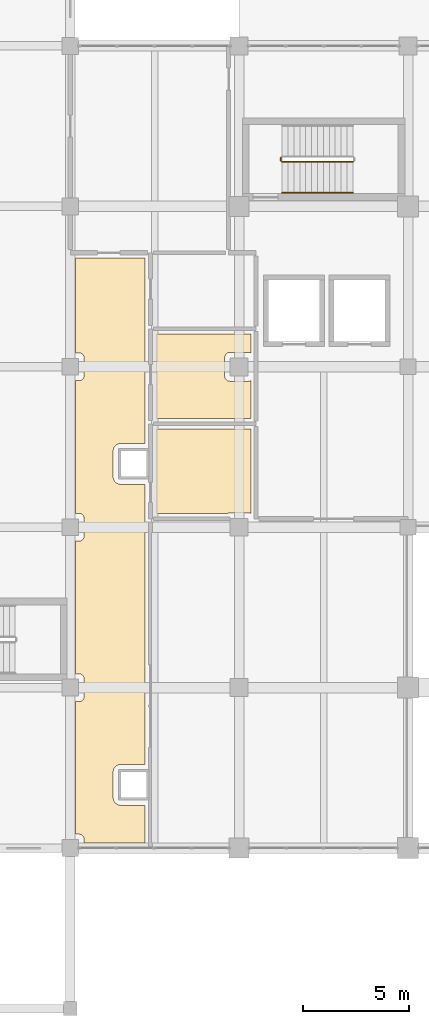
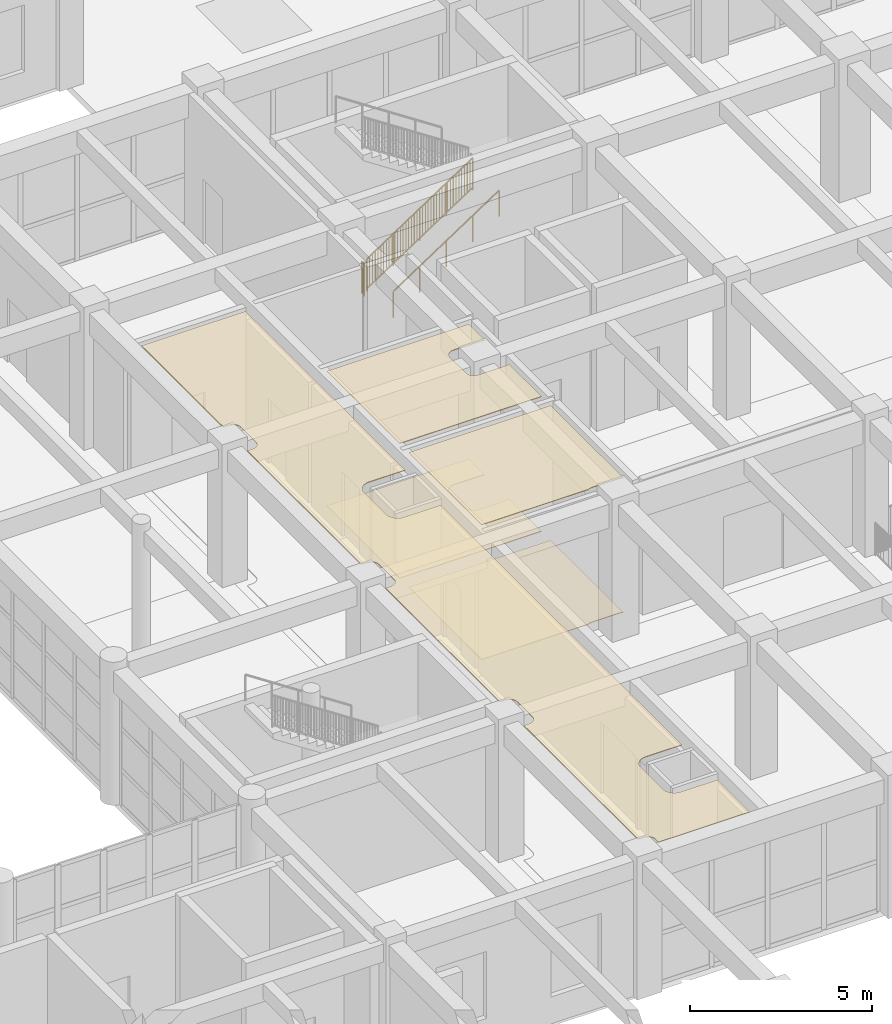
# One storey, part 90 of 101: 5 coverings, 3 railings.
"""IFC4 building model written with IfcOpenShell, lengths in metres."""

from ifc_helpers import new_model, si_unit, direction, frame, origin, origin_2d, place, context, subcontext, project, spatial, polyline, rectangle, circle, outline, extrude, material, layer, layer_set, type_object, element, save


model = new_model("IFC4")

# Units and contexts
model_context = context("Model", 3, precision=1e-05, world=origin(), true_north=direction((0.0, 1.0)))
body_context = subcontext(model_context, "Body", "Model", "MODEL_VIEW")
ifc_project = project(units=[si_unit("LENGTHUNIT", "METRE"), si_unit("AREAUNIT", "SQUARE_METRE"), si_unit("VOLUMEUNIT", "CUBIC_METRE"), si_unit("PLANEANGLEUNIT", "RADIAN"), si_unit("MASSUNIT", "GRAM", prefix="KILO")], contexts=[model_context])

# Site, building, storey
site_placement = place(None, origin())
site = spatial("IfcSite", under=ifc_project, at=site_placement, CompositionType="ELEMENT")
building_placement = place(site_placement, origin())
building = spatial("IfcBuilding", under=site, at=building_placement, Name="Zantavel Square City Hall", CompositionType="ELEMENT")
storey_placement = place(building_placement, frame((0.0, 0.0, 5.39990234375)))
storey = spatial("IfcBuildingStorey", under=building, at=storey_placement, Name="L02", CompositionType="ELEMENT", Elevation=5.39990234375)

# Railings
ifc_material_1 = material(Name="Steel ASTM A500 Grade B", Category="steel")
railing_type_1 = type_object("IfcRailingType", Name="Atrium & Gallery Steel Guard Railing 1100mm", PredefinedType="GUARDRAIL", material=ifc_material_1)
railing_1_placement = place(storey_placement, frame((66.030029296875, 62.909912109375, 0.184814453125)))
element("IfcRailing", 1, at=railing_1_placement, inside=storey, type_object=railing_type_1, Name="L02 ST5 stair guard 1", PredefinedType="GUARDRAIL", context=body_context, shape_type="SweptSolid", body=[
    extrude(circle(Radius=0.02392578125, at=origin_2d()), frame((0.0, 0.0, 1.076171875), z_axis=(0.834858096282, 0.0, 0.550465220583), x_axis=(0.0, 1.0, 0.0)), (0.0, 0.0, 1.0), 4.0244140625),
    extrude(rectangle(XDim=0.031982421875, YDim=0.031982421875, at=origin_2d()), frame((0.0, 0.0, 0.080078125), z_axis=(0.834858096282, 0.0, 0.550465220583), x_axis=(0.0, 1.0, 0.0)), (0.0, 0.0, 1.0), 4.0244140625),
    extrude(rectangle(XDim=0.02197265625, YDim=0.02197265625, at=origin_2d()), frame((0.08837890625, 0.0, 0.13818359375)), (0.0, 0.0, 1.0), 0.971923828125),
    extrude(rectangle(XDim=0.02197265625, YDim=0.02197265625, at=origin_2d()), frame((0.1767578125, 0.0, 0.196533203125)), (0.0, 0.0, 1.0), 0.971923828125),
    extrude(rectangle(XDim=0.02197265625, YDim=0.02197265625, at=origin_2d()), frame((0.26513671875, 0.0, 0.2548828125)), (0.0, 0.0, 1.0), 0.971923828125),
    extrude(rectangle(XDim=0.02197265625, YDim=0.02197265625, at=origin_2d()), frame((0.353759765625, 0.0, 0.313232421875)), (0.0, 0.0, 1.0), 0.971923828125),
    extrude(rectangle(XDim=0.02197265625, YDim=0.02197265625, at=origin_2d()), frame((0.442138671875, 0.0, 0.37158203125)), (0.0, 0.0, 1.0), 0.971923828125),
    extrude(rectangle(XDim=0.02197265625, YDim=0.02197265625, at=origin_2d()), frame((0.530517578125, 0.0, 0.4296875)), (0.0, 0.0, 1.0), 0.971923828125),
    extrude(rectangle(XDim=0.02197265625, YDim=0.02197265625, at=origin_2d()), frame((0.618896484375, 0.0, 0.488037109375)), (0.0, 0.0, 1.0), 0.971923828125),
    extrude(rectangle(XDim=0.02197265625, YDim=0.02197265625, at=origin_2d()), frame((0.707275390625, 0.0, 0.54638671875)), (0.0, 0.0, 1.0), 0.971923828125),
    extrude(rectangle(XDim=0.02197265625, YDim=0.02197265625, at=origin_2d()), frame((0.795654296875, 0.0, 0.604736328125)), (0.0, 0.0, 1.0), 0.971923828125),
    extrude(rectangle(XDim=0.02197265625, YDim=0.02197265625, at=origin_2d()), frame((0.88427734375, 0.0, 0.6630859375)), (0.0, 0.0, 1.0), 0.971923828125),
    extrude(rectangle(XDim=0.02197265625, YDim=0.02197265625, at=origin_2d()), frame((0.97265625, 0.0, 0.72119140625)), (0.0, 0.0, 1.0), 0.971923828125),
    extrude(rectangle(XDim=0.02197265625, YDim=0.02197265625, at=origin_2d()), frame((1.06103515625, 0.0, 0.779541015625)), (0.0, 0.0, 1.0), 0.971923828125),
    extrude(rectangle(XDim=0.02197265625, YDim=0.02197265625, at=origin_2d()), frame((1.1494140625, 0.0, 0.837890625)), (0.0, 0.0, 1.0), 0.971923828125),
    extrude(rectangle(XDim=0.02197265625, YDim=0.02197265625, at=origin_2d()), frame((1.23779296875, 0.0, 0.896240234375)), (0.0, 0.0, 1.0), 0.971923828125),
    extrude(rectangle(XDim=0.02197265625, YDim=0.02197265625, at=origin_2d()), frame((1.326171875, 0.0, 0.95458984375)), (0.0, 0.0, 1.0), 0.971923828125),
    extrude(rectangle(XDim=0.02197265625, YDim=0.02197265625, at=origin_2d()), frame((1.414794921875, 0.0, 1.0126953125)), (0.0, 0.0, 1.0), 0.971923828125),
    extrude(rectangle(XDim=0.02197265625, YDim=0.02197265625, at=origin_2d()), frame((1.503173828125, 0.0, 1.071044921875)), (0.0, 0.0, 1.0), 0.971923828125),
    extrude(rectangle(XDim=0.02197265625, YDim=0.02197265625, at=origin_2d()), frame((1.591552734375, 0.0, 1.12939453125)), (0.0, 0.0, 1.0), 0.971923828125),
    extrude(rectangle(XDim=0.02197265625, YDim=0.02197265625, at=origin_2d()), frame((1.768310546875, 0.0, 1.245849609375)), (0.0, 0.0, 1.0), 0.971923828125),
    extrude(rectangle(XDim=0.02197265625, YDim=0.02197265625, at=origin_2d()), frame((1.856689453125, 0.0, 1.30419921875)), (0.0, 0.0, 1.0), 0.971923828125),
    extrude(rectangle(XDim=0.02197265625, YDim=0.02197265625, at=origin_2d()), frame((1.945068359375, 0.0, 1.362548828125)), (0.0, 0.0, 1.0), 0.971923828125),
    extrude(rectangle(XDim=0.02197265625, YDim=0.02197265625, at=origin_2d()), frame((2.03369140625, 0.0, 1.4208984375)), (0.0, 0.0, 1.0), 0.971923828125),
    extrude(rectangle(XDim=0.02197265625, YDim=0.02197265625, at=origin_2d()), frame((2.1220703125, 0.0, 1.479248046875)), (0.0, 0.0, 1.0), 0.971923828125),
    extrude(rectangle(XDim=0.02197265625, YDim=0.02197265625, at=origin_2d()), frame((2.21044921875, 0.0, 1.537353515625)), (0.0, 0.0, 1.0), 0.971923828125),
    extrude(rectangle(XDim=0.02197265625, YDim=0.02197265625, at=origin_2d()), frame((2.298828125, 0.0, 1.595703125)), (0.0, 0.0, 1.0), 0.971923828125),
    extrude(rectangle(XDim=0.02197265625, YDim=0.02197265625, at=origin_2d()), frame((2.38720703125, 0.0, 1.654052734375)), (0.0, 0.0, 1.0), 0.971923828125),
    extrude(rectangle(XDim=0.02197265625, YDim=0.02197265625, at=origin_2d()), frame((2.4755859375, 0.0, 1.71240234375)), (0.0, 0.0, 1.0), 0.971923828125),
    extrude(rectangle(XDim=0.02197265625, YDim=0.02197265625, at=origin_2d()), frame((2.564208984375, 0.0, 1.770751953125)), (0.0, 0.0, 1.0), 0.971923828125),
    extrude(rectangle(XDim=0.02197265625, YDim=0.02197265625, at=origin_2d()), frame((2.652587890625, 0.0, 1.828857421875)), (0.0, 0.0, 1.0), 0.971923828125),
    extrude(rectangle(XDim=0.02197265625, YDim=0.02197265625, at=origin_2d()), frame((2.740966796875, 0.0, 1.88720703125)), (0.0, 0.0, 1.0), 0.971923828125),
    extrude(rectangle(XDim=0.02197265625, YDim=0.02197265625, at=origin_2d()), frame((2.829345703125, 0.0, 1.945556640625)), (0.0, 0.0, 1.0), 0.971923828125),
    extrude(rectangle(XDim=0.02197265625, YDim=0.02197265625, at=origin_2d()), frame((2.917724609375, 0.0, 2.00390625)), (0.0, 0.0, 1.0), 0.971923828125),
    extrude(rectangle(XDim=0.02197265625, YDim=0.02197265625, at=origin_2d()), frame((3.006103515625, 0.0, 2.062255859375)), (0.0, 0.0, 1.0), 0.971923828125),
    extrude(rectangle(XDim=0.02197265625, YDim=0.02197265625, at=origin_2d()), frame((3.0947265625, 0.0, 2.120361328125)), (0.0, 0.0, 1.0), 0.971923828125),
    extrude(rectangle(XDim=0.02197265625, YDim=0.02197265625, at=origin_2d()), frame((3.18310546875, 0.0, 2.1787109375)), (0.0, 0.0, 1.0), 0.971923828125),
    extrude(rectangle(XDim=0.02197265625, YDim=0.02197265625, at=origin_2d()), frame((3.271484375, 0.0, 2.237060546875)), (0.0, 0.0, 1.0), 0.971923828125),
    extrude(circle(Radius=0.02099609375, at=origin_2d()), origin(), (0.0, 0.0, 1.0), 1.052001953125),
    extrude(circle(Radius=0.02099609375, at=origin_2d()), frame((0.83984375, 0.0, 0.5537109375)), (0.0, 0.0, 1.0), 1.052001953125),
    extrude(circle(Radius=0.02099609375, at=origin_2d()), frame((1.679931640625, 0.0, 1.107666015625)), (0.0, 0.0, 1.0), 1.052001953125),
    extrude(circle(Radius=0.02099609375, at=origin_2d()), frame((2.52001953125, 0.0, 1.66162109375)), (0.0, 0.0, 1.0), 1.052001953125),
    extrude(circle(Radius=0.02099609375, at=origin_2d()), frame((3.35986328125, 0.0, 2.21533203125)), (0.0, 0.0, 1.0), 1.052001953125),
])
railing_2_placement = place(storey_placement, frame((65.97998046875, 62.9599609375, 0.0)))
element("IfcRailing", 2, at=railing_2_placement, inside=storey, type_object=railing_type_1, Name="L02 ST5 stair guard 4", PredefinedType="GUARDRAIL", context=body_context, shape_type="SweptSolid", body=[
    extrude(circle(Radius=0.02392578125, at=origin_2d()), frame((0.0, 0.0, 1.076171875), z_axis=(0.0, 1.0, 0.0), x_axis=(-1.0, 0.0, 0.0)), (0.0, 0.0, 1.0), 0.150146484375),
    extrude(rectangle(XDim=0.031982421875, YDim=0.031982421875, at=origin_2d()), frame((0.0, 0.0, 0.080078125), z_axis=(0.0, 1.0, 0.0), x_axis=(-1.0, 0.0, 0.0)), (0.0, 0.0, 1.0), 0.150146484375),
    extrude(rectangle(XDim=0.02197265625, YDim=0.02197265625, at=origin_2d()), frame((0.0, 0.0751953125, 0.080078125)), (0.0, 0.0, 1.0), 0.971923828125),
    extrude(circle(Radius=0.02099609375, at=origin_2d()), origin(), (0.0, 0.0, 1.0), 1.052001953125),
    extrude(circle(Radius=0.02099609375, at=origin_2d()), frame((0.0, 0.150146484375, 0.0)), (0.0, 0.0, 1.0), 1.052001953125),
])

# Coverings
ifc_material_2 = material(Name="Terrazzo stone finish", Category="masonry")
ifc_layer_1 = layer(ifc_material_2, 0.02001953125, Name="Terrazzo stone finish")
ifc_layer_set_1 = layer_set([ifc_layer_1], Name="Terrazzo stone finish")
covering_type_1 = type_object("IfcCoveringType", Name="Honed Cantera-Terrazzo Civic Flooring 20mm", PredefinedType="FLOORING", material=ifc_layer_set_1)
covering_1_placement = place(storey_placement, origin())
element("IfcCovering", 3, at=covering_1_placement, inside=storey, type_object=covering_type_1, Name="L02 L02 Mens Restroom Terrazzo Flooring", PredefinedType="FLOORING", context=body_context, shape_type="SweptSolid", body=[
    extrude(outline(polyline([(60.050048828125, 50.25), (64.550048828125, 50.25), (64.550048828125, 46.2568359375), (64.53076171875, 46.26611328125), (64.507568359375, 46.274169921875), (64.48388671875, 46.2802734375), (64.45947265625, 46.28369140625), (64.43505859375, 46.284912109375), (63.56494140625, 46.284912109375), (63.54052734375, 46.28369140625), (63.51611328125, 46.2802734375), (63.492431640625, 46.274169921875), (63.46923828125, 46.26611328125), (63.447265625, 46.255615234375), (63.43798828125, 46.25), (60.050048828125, 46.25), (60.050048828125, 50.25)])), origin(), (0.0, 0.0, 1.0), 0.02001953125),
])
covering_2_placement = place(storey_placement, origin())
element("IfcCovering", 4, at=covering_2_placement, inside=storey, type_object=covering_type_1, Name="L02 L02 Womens Restroom Terrazzo Flooring", PredefinedType="FLOORING", context=body_context, shape_type="SweptSolid", body=[
    extrude(outline(polyline([(60.050048828125, 54.75), (64.550048828125, 54.75), (64.550048828125, 53.856689453125), (64.53076171875, 53.865966796875), (64.507568359375, 53.874267578125), (64.48388671875, 53.880126953125), (64.45947265625, 53.8837890625), (64.43505859375, 53.885009765625), (63.56494140625, 53.885009765625), (63.54052734375, 53.8837890625), (63.51611328125, 53.880126953125), (63.492431640625, 53.874267578125), (63.46923828125, 53.865966796875), (63.447265625, 53.85546875), (63.426025390625, 53.843017578125), (63.406494140625, 53.828369140625), (63.38818359375, 53.811767578125), (63.37158203125, 53.793701171875), (63.357177734375, 53.77392578125), (63.344482421875, 53.752685546875), (63.333984375, 53.730712890625), (63.32568359375, 53.70751953125), (63.31982421875, 53.683837890625), (63.316162109375, 53.659423828125), (63.31494140625, 53.635009765625), (63.31494140625, 52.764892578125), (63.316162109375, 52.740478515625), (63.31982421875, 52.71630859375), (63.32568359375, 52.6923828125), (63.333984375, 52.669189453125), (63.344482421875, 52.647216796875), (63.357177734375, 52.626220703125), (63.37158203125, 52.6064453125), (63.38818359375, 52.588134765625), (63.406494140625, 52.57177734375), (63.426025390625, 52.55712890625), (63.447265625, 52.54443359375), (63.46923828125, 52.533935546875), (63.492431640625, 52.52587890625), (63.51611328125, 52.519775390625), (63.54052734375, 52.51611328125), (63.56494140625, 52.514892578125), (64.43505859375, 52.514892578125), (64.45947265625, 52.51611328125), (64.48388671875, 52.519775390625), (64.507568359375, 52.52587890625), (64.53076171875, 52.533935546875), (64.550048828125, 52.543212890625), (64.550048828125, 50.75), (60.050048828125, 50.75), (60.050048828125, 54.75)])), origin(), (0.0, 0.0, 1.0), 0.02001953125),
])
ifc_material_3 = material(Name="Gypsum acoustic stud assembly", Category="masonry")
ifc_layer_2 = layer(ifc_material_3, 0.02490234375, Name="Gypsum acoustic stud assembly")
ifc_layer_set_2 = layer_set([ifc_layer_2], Name="Gypsum acoustic stud assembly")
covering_type_2 = type_object("IfcCoveringType", Name="Perforated Gypsum Acoustic Ceiling 25mm", PredefinedType="CEILING", material=ifc_layer_set_2)
covering_3_placement = place(storey_placement, frame((0.0, 0.0, 4.51513671875)))
element("IfcCovering", 5, at=covering_3_placement, inside=storey, type_object=covering_type_2, Name="L02 L02 South-West Gallery Bypass Corridor Acoustic Ceiling", PredefinedType="CEILING", context=body_context, shape_type="SweptSolid", body=[
    extrude(outline(polyline([(56.65869140625, 30.83447265625), (56.6552734375, 30.85888671875), (56.649169921875, 30.882568359375), (56.64111328125, 30.90576171875), (56.630615234375, 30.927734375), (56.617919921875, 30.948974609375), (56.603271484375, 30.968505859375), (56.5869140625, 30.98681640625), (56.568603515625, 31.00341796875), (56.548828125, 31.017822265625), (56.52783203125, 31.030517578125), (56.505615234375, 31.041015625), (56.482666015625, 31.04931640625), (56.458740234375, 31.05517578125), (56.4345703125, 31.058837890625), (56.409912109375, 31.06005859375), (56.25, 31.06005859375), (56.25, 37.340087890625), (56.409912109375, 37.340087890625), (56.4345703125, 37.34130859375), (56.458740234375, 37.3447265625), (56.482666015625, 37.350830078125), (56.505615234375, 37.35888671875), (56.52783203125, 37.369384765625), (56.548828125, 37.382080078125), (56.568603515625, 37.396728515625), (56.5869140625, 37.4130859375), (56.603271484375, 37.431396484375), (56.617919921875, 37.451171875), (56.630615234375, 37.47216796875), (56.64111328125, 37.494384765625), (56.649169921875, 37.517333984375), (56.6552734375, 37.541259765625), (56.65869140625, 37.5654296875), (56.659912109375, 37.590087890625), (56.659912109375, 38.409912109375), (56.65869140625, 38.4345703125), (56.6552734375, 38.458740234375), (56.649169921875, 38.482666015625), (56.64111328125, 38.505615234375), (56.630615234375, 38.52783203125), (56.617919921875, 38.548828125), (56.603271484375, 38.568603515625), (56.5869140625, 38.5869140625), (56.568603515625, 38.603271484375), (56.548828125, 38.617919921875), (56.52783203125, 38.630615234375), (56.505615234375, 38.64111328125), (56.482666015625, 38.649169921875), (56.458740234375, 38.6552734375), (56.4345703125, 38.65869140625), (56.409912109375, 38.659912109375), (56.25, 38.659912109375), (56.25, 44.93994140625), (56.409912109375, 44.93994140625), (56.4345703125, 44.941162109375), (56.458740234375, 44.94482421875), (56.482666015625, 44.95068359375), (56.505615234375, 44.958984375), (56.52783203125, 44.969482421875), (56.548828125, 44.982177734375), (56.568603515625, 44.99658203125), (56.5869140625, 45.01318359375), (56.603271484375, 45.031494140625), (56.617919921875, 45.051025390625), (56.630615234375, 45.072265625), (56.64111328125, 45.09423828125), (56.649169921875, 45.117431640625), (56.6552734375, 45.14111328125), (56.65869140625, 45.16552734375), (56.659912109375, 45.18994140625), (56.659912109375, 46.010009765625), (56.65869140625, 46.034423828125), (56.6552734375, 46.058837890625), (56.649169921875, 46.08251953125), (56.64111328125, 46.105712890625), (56.630615234375, 46.127685546875), (56.617919921875, 46.14892578125), (56.603271484375, 46.168701171875), (56.5869140625, 46.186767578125), (56.568603515625, 46.203369140625), (56.548828125, 46.218017578125), (56.52783203125, 46.23046875), (56.505615234375, 46.240966796875), (56.482666015625, 46.249267578125), (56.458740234375, 46.255126953125), (56.4345703125, 46.2587890625), (56.409912109375, 46.260009765625), (56.25, 46.260009765625), (56.25, 52.5400390625), (56.409912109375, 52.5400390625), (56.4345703125, 52.541259765625), (56.458740234375, 52.544921875), (56.482666015625, 52.55078125), (56.505615234375, 52.55908203125), (56.52783203125, 52.569580078125), (56.548828125, 52.58203125), (56.568603515625, 52.5966796875), (56.5869140625, 52.61328125), (56.603271484375, 52.63134765625), (56.617919921875, 52.651123046875), (56.630615234375, 52.672119140625), (56.64111328125, 52.6943359375), (56.649169921875, 52.71728515625), (56.6552734375, 52.7412109375), (56.65869140625, 52.765380859375), (56.659912109375, 52.7900390625), (56.659912109375, 53.610107421875), (56.65869140625, 53.634521484375), (56.6552734375, 53.65869140625), (56.649169921875, 53.6826171875), (56.64111328125, 53.705810546875), (56.630615234375, 53.727783203125), (56.617919921875, 53.748779296875), (56.603271484375, 53.7685546875), (56.5869140625, 53.786865234375), (56.568603515625, 53.80322265625), (56.548828125, 53.81787109375), (56.52783203125, 53.83056640625), (56.505615234375, 53.841064453125), (56.482666015625, 53.84912109375), (56.458740234375, 53.855224609375), (56.4345703125, 53.85888671875), (56.409912109375, 53.860107421875), (56.25, 53.860107421875), (56.25, 58.35009765625), (59.550048828125, 58.35009765625), (59.550048828125, 49.570068359375), (58.39990234375, 49.570068359375), (58.3876953125, 49.569580078125), (58.3759765625, 49.569091796875), (58.3515625, 49.566650390625), (58.33984375, 49.56494140625), (58.31591796875, 49.560302734375), (58.304443359375, 49.557373046875), (58.281005859375, 49.55029296875), (58.27001953125, 49.54638671875), (58.247314453125, 49.536865234375), (58.236572265625, 49.53173828125), (58.21484375, 49.520263671875), (58.204833984375, 49.51416015625), (58.184326171875, 49.50048828125), (58.1748046875, 49.49365234375), (58.156005859375, 49.47802734375), (58.147216796875, 49.47021484375), (58.1298828125, 49.45263671875), (58.1220703125, 49.444091796875), (58.1064453125, 49.425048828125), (58.099365234375, 49.41552734375), (58.085693359375, 49.395263671875), (58.07958984375, 49.385009765625), (58.068115234375, 49.363525390625), (58.06298828125, 49.352783203125), (58.0537109375, 49.330078125), (58.0498046875, 49.319091796875), (58.042724609375, 49.295654296875), (58.039794921875, 49.2841796875), (58.034912109375, 49.260009765625), (58.033203125, 49.248291015625), (58.031005859375, 49.22412109375), (58.0302734375, 49.21240234375), (58.030029296875, 49.199951171875), (58.030029296875, 48.0), (58.0302734375, 47.98779296875), (58.031005859375, 47.97607421875), (58.033203125, 47.95166015625), (58.034912109375, 47.93994140625), (58.039794921875, 47.915771484375), (58.042724609375, 47.904296875), (58.0498046875, 47.880859375), (58.0537109375, 47.869873046875), (58.06298828125, 47.84716796875), (58.068115234375, 47.83642578125), (58.07958984375, 47.81494140625), (58.085693359375, 47.8046875), (58.099365234375, 47.784423828125), (58.1064453125, 47.77490234375), (58.1220703125, 47.756103515625), (58.1298828125, 47.747314453125), (58.147216796875, 47.72998046875), (58.156005859375, 47.721923828125), (58.1748046875, 47.706298828125), (58.184326171875, 47.699462890625), (58.204833984375, 47.685791015625), (58.21484375, 47.6796875), (58.236572265625, 47.668212890625), (58.247314453125, 47.6630859375), (58.27001953125, 47.65380859375), (58.281005859375, 47.64990234375), (58.304443359375, 47.642578125), (58.31591796875, 47.639892578125), (58.33984375, 47.635009765625), (58.3515625, 47.63330078125), (58.3759765625, 47.630859375), (58.3876953125, 47.63037109375), (58.39990234375, 47.6298828125), (59.550048828125, 47.6298828125), (59.550048828125, 34.3701171875), (58.39990234375, 34.3701171875), (58.3876953125, 34.36962890625), (58.3759765625, 34.369140625), (58.3515625, 34.36669921875), (58.33984375, 34.364990234375), (58.31591796875, 34.360107421875), (58.304443359375, 34.357421875), (58.281005859375, 34.35009765625), (58.27001953125, 34.34619140625), (58.247314453125, 34.3369140625), (58.236572265625, 34.331787109375), (58.21484375, 34.3203125), (58.204833984375, 34.314208984375), (58.184326171875, 34.300537109375), (58.1748046875, 34.293701171875), (58.156005859375, 34.278076171875), (58.147216796875, 34.27001953125), (58.1298828125, 34.252685546875), (58.1220703125, 34.243896484375), (58.1064453125, 34.22509765625), (58.099365234375, 34.215576171875), (58.085693359375, 34.1953125), (58.07958984375, 34.18505859375), (58.068115234375, 34.16357421875), (58.06298828125, 34.15283203125), (58.0537109375, 34.130126953125), (58.0498046875, 34.119140625), (58.042724609375, 34.095703125), (58.039794921875, 34.084228515625), (58.034912109375, 34.06005859375), (58.033203125, 34.04833984375), (58.031005859375, 34.02392578125), (58.0302734375, 34.01220703125), (58.030029296875, 34.0), (58.030029296875, 32.800048828125), (58.0302734375, 32.78759765625), (58.031005859375, 32.77587890625), (58.033203125, 32.751708984375), (58.034912109375, 32.739990234375), (58.039794921875, 32.7158203125), (58.042724609375, 32.704345703125), (58.0498046875, 32.680908203125), (58.0537109375, 32.669921875), (58.06298828125, 32.647216796875), (58.068115234375, 32.636474609375), (58.07958984375, 32.614990234375), (58.085693359375, 32.604736328125), (58.099365234375, 32.58447265625), (58.1064453125, 32.574951171875), (58.1220703125, 32.555908203125), (58.1298828125, 32.54736328125), (58.147216796875, 32.52978515625), (58.156005859375, 32.52197265625), (58.1748046875, 32.50634765625), (58.184326171875, 32.49951171875), (58.204833984375, 32.48583984375), (58.21484375, 32.479736328125), (58.236572265625, 32.46826171875), (58.247314453125, 32.463134765625), (58.27001953125, 32.45361328125), (58.281005859375, 32.44970703125), (58.304443359375, 32.442626953125), (58.31591796875, 32.439697265625), (58.33984375, 32.43505859375), (58.3515625, 32.433349609375), (58.3759765625, 32.430908203125), (58.3876953125, 32.430419921875), (58.39990234375, 32.429931640625), (59.550048828125, 32.429931640625), (59.550048828125, 30.64990234375), (56.659912109375, 30.64990234375), (56.659912109375, 30.81005859375), (56.65869140625, 30.83447265625)])), origin(), (0.0, 0.0, 1.0), 0.02490234375),
])
covering_4_placement = place(storey_placement, frame((0.0, 0.0, 4.51513671875)))
element("IfcCovering", 6, at=covering_4_placement, inside=storey, type_object=covering_type_2, Name="L02 L02 Mens Restroom Acoustic Ceiling", PredefinedType="CEILING", context=body_context, shape_type="SweptSolid", body=[
    extrude(outline(polyline([(60.050048828125, 50.25), (64.550048828125, 50.25), (64.550048828125, 46.2568359375), (64.53076171875, 46.26611328125), (64.507568359375, 46.274169921875), (64.48388671875, 46.2802734375), (64.45947265625, 46.28369140625), (64.43505859375, 46.284912109375), (63.56494140625, 46.284912109375), (63.54052734375, 46.28369140625), (63.51611328125, 46.2802734375), (63.492431640625, 46.274169921875), (63.46923828125, 46.26611328125), (63.447265625, 46.255615234375), (63.43798828125, 46.25), (60.050048828125, 46.25), (60.050048828125, 50.25)])), origin(), (0.0, 0.0, 1.0), 0.02490234375),
])
covering_5_placement = place(storey_placement, frame((0.0, 0.0, 4.51513671875)))
element("IfcCovering", 7, at=covering_5_placement, inside=storey, type_object=covering_type_2, Name="L02 L02 Womens Restroom Acoustic Ceiling", PredefinedType="CEILING", context=body_context, shape_type="SweptSolid", body=[
    extrude(outline(polyline([(60.050048828125, 54.75), (64.550048828125, 54.75), (64.550048828125, 53.856689453125), (64.53076171875, 53.865966796875), (64.507568359375, 53.874267578125), (64.48388671875, 53.880126953125), (64.45947265625, 53.8837890625), (64.43505859375, 53.885009765625), (63.56494140625, 53.885009765625), (63.54052734375, 53.8837890625), (63.51611328125, 53.880126953125), (63.492431640625, 53.874267578125), (63.46923828125, 53.865966796875), (63.447265625, 53.85546875), (63.426025390625, 53.843017578125), (63.406494140625, 53.828369140625), (63.38818359375, 53.811767578125), (63.37158203125, 53.793701171875), (63.357177734375, 53.77392578125), (63.344482421875, 53.752685546875), (63.333984375, 53.730712890625), (63.32568359375, 53.70751953125), (63.31982421875, 53.683837890625), (63.316162109375, 53.659423828125), (63.31494140625, 53.635009765625), (63.31494140625, 52.764892578125), (63.316162109375, 52.740478515625), (63.31982421875, 52.71630859375), (63.32568359375, 52.6923828125), (63.333984375, 52.669189453125), (63.344482421875, 52.647216796875), (63.357177734375, 52.626220703125), (63.37158203125, 52.6064453125), (63.38818359375, 52.588134765625), (63.406494140625, 52.57177734375), (63.426025390625, 52.55712890625), (63.447265625, 52.54443359375), (63.46923828125, 52.533935546875), (63.492431640625, 52.52587890625), (63.51611328125, 52.519775390625), (63.54052734375, 52.51611328125), (63.56494140625, 52.514892578125), (64.43505859375, 52.514892578125), (64.45947265625, 52.51611328125), (64.48388671875, 52.519775390625), (64.507568359375, 52.52587890625), (64.53076171875, 52.533935546875), (64.550048828125, 52.543212890625), (64.550048828125, 50.75), (60.050048828125, 50.75), (60.050048828125, 54.75)])), origin(), (0.0, 0.0, 1.0), 0.02490234375),
])

# Railing
ifc_material_4 = material(Name="Stainless steel 316", Category="steel")
railing_type_2 = type_object("IfcRailingType", Name="Stair Stainless Steel Handrail 900mm", PredefinedType="HANDRAIL", material=ifc_material_4)
railing_3_placement = place(storey_placement, frame((66.030029296875, 61.449951171875, 0.184814453125)))
element("IfcRailing", 8, at=railing_3_placement, inside=storey, type_object=railing_type_2, Name="L02 ST5 stair handrail 1", PredefinedType="HANDRAIL", context=body_context, shape_type="SweptSolid", body=[
    extrude(circle(Radius=0.02392578125, at=origin_2d()), frame((0.0, 0.0, 0.8759765625), z_axis=(0.834858096282, 0.0, 0.550465220583), x_axis=(0.0, 1.0, 0.0)), (0.0, 0.0, 1.0), 4.0244140625),
    extrude(circle(Radius=0.02099609375, at=origin_2d()), origin(), (0.0, 0.0, 1.0), 0.851806640625),
    extrude(circle(Radius=0.02099609375, at=origin_2d()), frame((0.83984375, 0.0, 0.5537109375)), (0.0, 0.0, 1.0), 0.851806640625),
    extrude(circle(Radius=0.02099609375, at=origin_2d()), frame((1.679931640625, 0.0, 1.107666015625)), (0.0, 0.0, 1.0), 0.851806640625),
    extrude(circle(Radius=0.02099609375, at=origin_2d()), frame((2.52001953125, 0.0, 1.66162109375)), (0.0, 0.0, 1.0), 0.851806640625),
    extrude(circle(Radius=0.02099609375, at=origin_2d()), frame((3.35986328125, 0.0, 2.21533203125)), (0.0, 0.0, 1.0), 0.851806640625),
])

save(model, "model.ifc")
